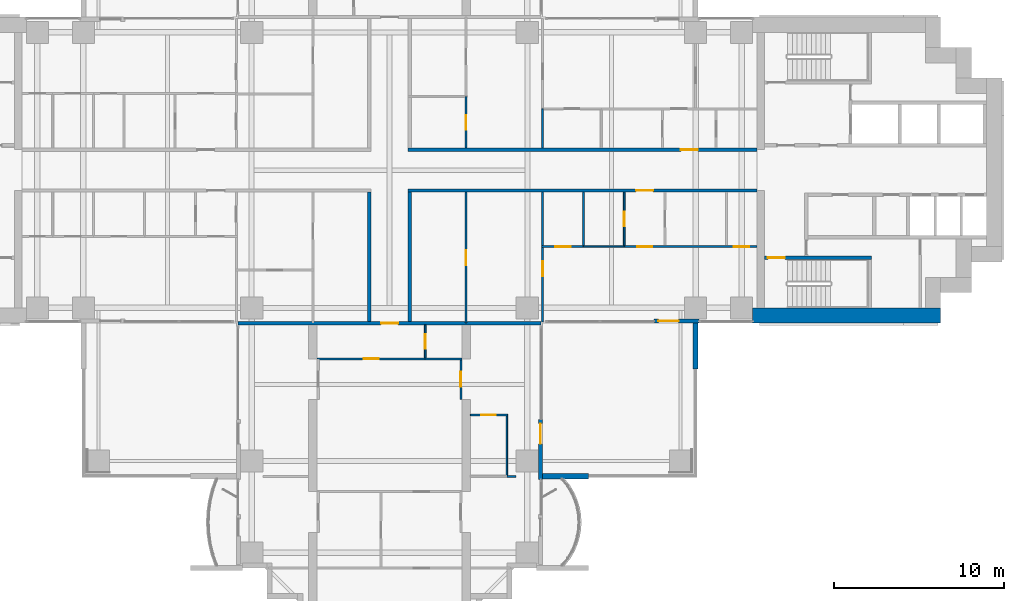
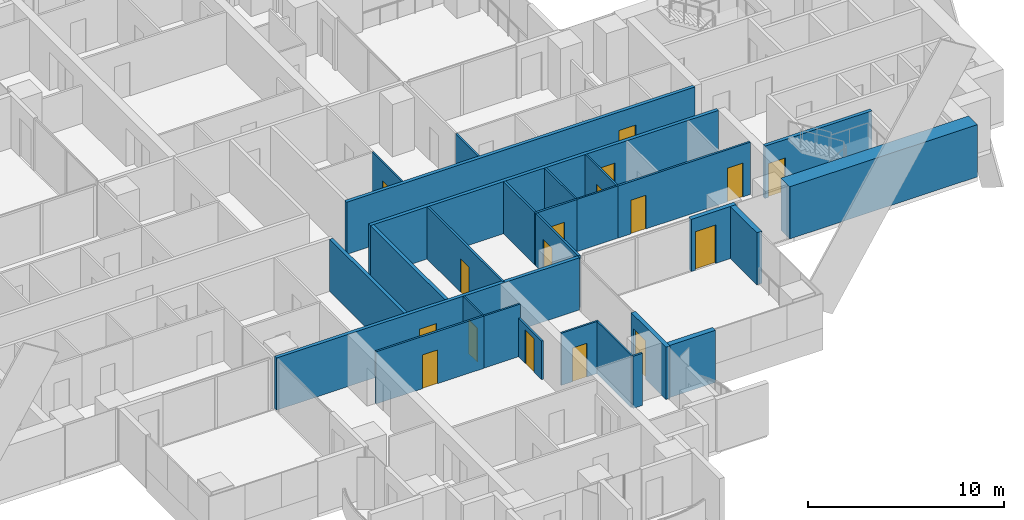
# One storey, part 13 of 21: 27 walls, 17 doors, 17 openings.
"""IFC4 building model written with IfcOpenShell, lengths in metres."""

from ifc_helpers import new_model, si_unit, direction, frame, frame_2d, origin, place, context, subcontext, project, spatial, rectangle, extrude, material, layer, layer_set, type_object, element, fill, save


model = new_model("IFC4")

# Units and contexts
model_context = context("Model", 3, precision=1e-05, world=origin(), true_north=direction((0.0, 1.0)))
body_context = subcontext(model_context, "Body", "Model", "MODEL_VIEW")
ifc_project = project(units=[si_unit("LENGTHUNIT", "METRE"), si_unit("AREAUNIT", "SQUARE_METRE"), si_unit("VOLUMEUNIT", "CUBIC_METRE"), si_unit("PLANEANGLEUNIT", "RADIAN"), si_unit("MASSUNIT", "GRAM", prefix="KILO")], contexts=[model_context])

# Site, building, storey
site_placement = place(None, origin())
site = spatial("IfcSite", under=ifc_project, at=site_placement, CompositionType="ELEMENT")
building_placement = place(site_placement, origin())
building = spatial("IfcBuilding", under=site, at=building_placement, Name="Perihelion Cross Residences", CompositionType="ELEMENT")
storey_placement = place(building_placement, frame((0.0, 0.0, 75.0)))
storey = spatial("IfcBuildingStorey", under=building, at=storey_placement, Name="L16", CompositionType="ELEMENT", Elevation=75.0)

# Wall, opening, door
ifc_material_1 = material(Name="Plasterboard partition")
ifc_layer_1 = layer(ifc_material_1, 0.199951171875)
ifc_layer_set_1 = layer_set([ifc_layer_1], Name="Apartment separation wall 200")
wall_type_1 = type_object("IfcWallType", Name="Apartment separation wall 200", PredefinedType="PARTITIONING", material=ifc_layer_set_1)
wall_1_placement = place(storey_placement, frame((1.10009765625, 1.199951171875, 0.0), z_axis=(0.0, 0.0, 1.0), x_axis=(1.0, 0.0, 0.0)))
wall_1 = element("IfcWall", 1, at=wall_1_placement, inside=storey, type_object=wall_type_1, Name="Partition L16 W001", PredefinedType="PARTITIONING", context=body_context, shape_type="SweptSolid", body=[
    extrude(rectangle(XDim=20.5, YDim=0.199951171875, at=frame_2d((10.25, 0.0))), origin(), (0.0, 0.0, 1.0), 3.25),
])
opening_1_placement = place(wall_1_placement, frame((16.02490234375, 0.0, 0.0)))
opening_1 = element("IfcOpeningElement", 2, at=opening_1_placement, cuts=wall_1, Name="Opening L16.A46", PredefinedType="OPENING", context=body_context, shape_type="SweptSolid", body=[
    extrude(rectangle(XDim=1.0, YDim=2.10009765625, at=frame_2d((0.5, 1.050048828125))), frame((0.0, 0.10986328125, 0.0), z_axis=(0.0, -1.0, 0.0), x_axis=(1.0, 0.0, 0.0)), (0.0, 0.0, 1.0), 0.219970703125),
])
ifc_material_2 = material(Name="Timber door leaf", Category="wood")
door_type_1 = type_object("IfcDoorType", Name="Flat entrance door 1000 x 2100", OperationType="SINGLE_SWING_LEFT", PredefinedType="DOOR", material=ifc_material_2)
door_1_placement = place(opening_1_placement, origin())
door_1 = element("IfcDoor", 3, at=door_1_placement, inside=storey, type_object=door_type_1, Name="Door L16.A46", OperationType="SINGLE_SWING_RIGHT", OverallHeight=2.10009765625, OverallWidth=1.0, PredefinedType="DOOR", context=body_context, shape_type="SweptSolid", body=[
    extrude(rectangle(XDim=1.0, YDim=2.10009765625, at=frame_2d((0.5, 1.050048828125))), frame((0.0, 0.02490234375, 0.0), z_axis=(0.0, -1.0, 0.0), x_axis=(1.0, 0.0, 0.0)), (0.0, 0.0, 1.0), 0.050048828125),
])
fill(opening_1, door_1)

wall_2_placement = place(storey_placement, frame((21.60009765625, -1.199951171875, 0.0), z_axis=(0.0, 0.0, 1.0), x_axis=(-1.0, 0.0, 0.0)))
wall_2 = element("IfcWall", 4, at=wall_2_placement, inside=storey, type_object=wall_type_1, Name="Partition L16 W003", PredefinedType="PARTITIONING", context=body_context, shape_type="SweptSolid", body=[
    extrude(rectangle(XDim=20.5, YDim=0.199951171875, at=frame_2d((10.25, 0.0))), origin(), (0.0, 0.0, 1.0), 3.25),
])
opening_2_placement = place(wall_2_placement, frame((6.10009765625, 0.0, 0.0)))
opening_2 = element("IfcOpeningElement", 5, at=opening_2_placement, cuts=wall_2, Name="Opening L16.A47", PredefinedType="OPENING", context=body_context, shape_type="SweptSolid", body=[
    extrude(rectangle(XDim=1.0, YDim=2.10009765625, at=frame_2d((0.5, 1.050048828125))), frame((0.0, 0.10986328125, 0.0), z_axis=(0.0, -1.0, 0.0), x_axis=(1.0, 0.0, 0.0)), (0.0, 0.0, 1.0), 0.219970703125),
])
door_2_placement = place(opening_2_placement, origin())
door_2 = element("IfcDoor", 6, at=door_2_placement, inside=storey, type_object=door_type_1, Name="Door L16.A47", OperationType="SINGLE_SWING_LEFT", OverallHeight=2.10009765625, OverallWidth=1.0, PredefinedType="DOOR", context=body_context, shape_type="SweptSolid", body=[
    extrude(rectangle(XDim=1.0, YDim=2.10009765625, at=frame_2d((0.5, 1.050048828125))), frame((0.0, 0.02490234375, 0.0), z_axis=(0.0, -1.0, 0.0), x_axis=(1.0, 0.0, 0.0)), (0.0, 0.0, 1.0), 0.050048828125),
])
fill(opening_2, door_2)

# Walls
for number, where, z_axis, x_axis, name in (
    (7, (1.199951171875, -1.300048828125, 0.0), (0.0, 0.0, 1.0), (0.0, -1.0, 0.0), "Partition L16 W004"),
    (8, (-1.199951171875, -8.89990234375, 0.0), (0.0, 0.0, 1.0), (0.0, 1.0, 0.0), "Partition L16 W008"),
):
    element("IfcWall", number, at=place(storey_placement, frame(where, z_axis=z_axis, x_axis=x_axis)), inside=storey, type_object=wall_type_1, Name=name, PredefinedType="PARTITIONING", context=body_context, shape_type="SweptSolid", body=[
        extrude(rectangle(XDim=7.599853515625, YDim=0.199951171875, at=frame_2d((3.7998046875, 0.0))), origin(), (0.0, 0.0, 1.0), 3.25),
    ])

# Wall, opening, door
wall_3_placement = place(storey_placement, frame((8.919921875, -9.0, 0.0), z_axis=(0.0, 0.0, 1.0), x_axis=(-1.0, 0.0, 0.0)))
wall_3 = element("IfcWall", 9, at=wall_3_placement, inside=storey, type_object=wall_type_1, Name="Partition L16 W010", PredefinedType="PARTITIONING", context=body_context, shape_type="SweptSolid", body=[
    extrude(rectangle(XDim=17.83984375, YDim=0.199951171875, at=frame_2d((8.919921875, 0.0))), origin(), (0.0, 0.0, 1.0), 3.25),
])
opening_3_placement = place(wall_3_placement, frame((8.419921875, 0.0, 0.0)))
opening_3 = element("IfcOpeningElement", 10, at=opening_3_placement, cuts=wall_3, Name="Opening L16.A39", PredefinedType="OPENING", context=body_context, shape_type="SweptSolid", body=[
    extrude(rectangle(XDim=1.0, YDim=2.10009765625, at=frame_2d((0.5, 1.050048828125))), frame((0.0, 0.10986328125, 0.0), z_axis=(0.0, -1.0, 0.0), x_axis=(1.0, 0.0, 0.0)), (0.0, 0.0, 1.0), 0.219970703125),
])
door_3_placement = place(opening_3_placement, origin())
door_3 = element("IfcDoor", 11, at=door_3_placement, inside=storey, type_object=door_type_1, Name="Door L16.A39", OperationType="SINGLE_SWING_LEFT", OverallHeight=2.10009765625, OverallWidth=1.0, PredefinedType="DOOR", context=body_context, shape_type="SweptSolid", body=[
    extrude(rectangle(XDim=1.0, YDim=2.10009765625, at=frame_2d((0.5, 1.050048828125))), frame((0.0, 0.02490234375, 0.0), z_axis=(0.0, -1.0, 0.0), x_axis=(1.0, 0.0, 0.0)), (0.0, 0.0, 1.0), 0.050048828125),
])
fill(opening_3, door_3)

ifc_material_3 = material(Name="Concrete C30/37, bronze-clad", Category="concrete")
ifc_layer_2 = layer(ifc_material_3, 0.25)
ifc_layer_set_2 = layer_set([ifc_layer_2], Name="Bronze-clad pier wall 250")
wall_type_2 = type_object("IfcWallType", Name="Bronze-clad pier wall 250", PredefinedType="SOLIDWALL", material=ifc_layer_set_2)
wall_4_placement = place(storey_placement, frame((8.875, -18.199951171875, 0.0), z_axis=(0.0, 0.0, 1.0), x_axis=(0.0, 1.0, 0.0)))
wall_4 = element("IfcWall", 12, at=wall_4_placement, inside=storey, type_object=wall_type_2, Name="Wall FW1 L16 south side east bay 2 pier", PredefinedType="SOLIDWALL", context=body_context, shape_type="SweptSolid", body=[
    extrude(rectangle(XDim=3.550048828125, YDim=0.25, at=frame_2d((1.77490234375, 0.0))), origin(), (0.0, 0.0, 1.0), 3.25),
])
opening_4_placement = place(wall_4_placement, frame((2.10009765625, 0.0, 0.0)))
opening_4 = element("IfcOpeningElement", 13, at=opening_4_placement, cuts=wall_4, Name="Opening L16.E15", PredefinedType="OPENING", context=body_context, shape_type="SweptSolid", body=[
    extrude(rectangle(XDim=1.199951171875, YDim=2.39990234375, at=frame_2d((0.60009765625, 1.199951171875))), frame((0.0, 0.135009765625, 0.0), z_axis=(0.0, -1.0, 0.0), x_axis=(1.0, 0.0, 0.0)), (0.0, 0.0, 1.0), 0.27001953125),
])
ifc_material_4 = material(Name="Bronze anodised aluminium, glazed", Category="aluminium")
door_type_2 = type_object("IfcDoorType", Name="Balcony door 1200 x 2400", OperationType="NOTDEFINED", PredefinedType="DOOR", material=ifc_material_4)
door_4_placement = place(opening_4_placement, origin())
door_4 = element("IfcDoor", 14, at=door_4_placement, inside=storey, type_object=door_type_2, Name="Door L16.E15 south side east bay 2", OperationType="SINGLE_SWING_RIGHT", OverallHeight=2.39990234375, OverallWidth=1.199951171875, PredefinedType="DOOR", context=body_context, shape_type="SweptSolid", body=[
    extrude(rectangle(XDim=1.199951171875, YDim=2.39990234375, at=frame_2d((0.60009765625, 1.199951171875))), frame((0.0, 0.02490234375, 0.0), z_axis=(0.0, -1.0, 0.0), x_axis=(1.0, 0.0, 0.0)), (0.0, 0.0, 1.0), 0.050048828125),
])
fill(opening_4, door_4)

wall_5_placement = place(storey_placement, frame((15.550048828125, -8.875, 0.0), z_axis=(0.0, 0.0, 1.0), x_axis=(1.0, 0.0, 0.0)))
wall_5 = element("IfcWall", 15, at=wall_5_placement, inside=storey, type_object=wall_type_2, Name="Wall FW1 L16 east side south bay 1 pier", PredefinedType="SOLIDWALL", context=body_context, shape_type="SweptSolid", body=[
    extrude(rectangle(XDim=2.64990234375, YDim=0.25, at=frame_2d((1.324951171875, 0.0))), origin(), (0.0, 0.0, 1.0), 3.25),
])
opening_5_placement = place(wall_5_placement, frame((0.25, 0.0, 0.0)))
opening_5 = element("IfcOpeningElement", 16, at=opening_5_placement, cuts=wall_5, Name="Opening L16.E16", PredefinedType="OPENING", context=body_context, shape_type="SweptSolid", body=[
    extrude(rectangle(XDim=1.199951171875, YDim=2.39990234375, at=frame_2d((0.60009765625, 1.199951171875))), frame((0.0, 0.135009765625, 0.0), z_axis=(0.0, -1.0, 0.0), x_axis=(1.0, 0.0, 0.0)), (0.0, 0.0, 1.0), 0.27001953125),
])
door_5_placement = place(opening_5_placement, origin())
door_5 = element("IfcDoor", 17, at=door_5_placement, inside=storey, type_object=door_type_2, Name="Door L16.E16 east side south bay 1", OperationType="SINGLE_SWING_LEFT", OverallHeight=2.39990234375, OverallWidth=1.199951171875, PredefinedType="DOOR", context=body_context, shape_type="SweptSolid", body=[
    extrude(rectangle(XDim=1.199951171875, YDim=2.39990234375, at=frame_2d((0.60009765625, 1.199951171875))), frame((0.0, 0.02490234375, 0.0), z_axis=(0.0, -1.0, 0.0), x_axis=(1.0, 0.0, 0.0)), (0.0, 0.0, 1.0), 0.050048828125),
])
fill(opening_5, door_5)

# Wall
ifc_material_5 = material(Name="Concrete C60/75", Category="concrete")
ifc_layer_3 = layer(ifc_material_5, 0.89990234375)
ifc_layer_set_3 = layer_set([ifc_layer_3], Name="Core wall, outer 900")
wall_type_3 = type_object("IfcWallType", Name="Core wall, outer 900", PredefinedType="SHEAR", material=ifc_layer_set_3)
wall_6_placement = place(storey_placement, frame((21.35009765625, -8.550048828125, 0.0), z_axis=(0.0, 0.0, 1.0), x_axis=(1.0, 0.0, 0.0)))
element("IfcWall", 18, at=wall_6_placement, inside=storey, type_object=wall_type_3, Name="East core core wall, outer", PredefinedType="SHEAR", context=body_context, shape_type="SweptSolid", body=[
    extrude(rectangle(XDim=11.0498046875, YDim=0.89990234375, at=frame_2d((5.52490234375, 0.0))), origin(), (0.0, 0.0, 1.0), 3.25),
])

# Wall, opening, door
ifc_material_6 = material(Name="Plasterboard partition")
ifc_layer_4 = layer(ifc_material_6, 0.1201171875)
ifc_layer_set_4 = layer_set([ifc_layer_4], Name="Infill panel 120")
wall_type_4 = type_object("IfcWallType", Name="Infill panel 120", PredefinedType="PARTITIONING", material=ifc_layer_set_4)
wall_7_placement = place(storey_placement, frame((4.18994140625, -11.10009765625, 0.0), z_axis=(0.0, 0.0, 1.0), x_axis=(0.0, -1.0, 0.0)))
wall_7 = element("IfcWall", 19, at=wall_7_placement, inside=storey, type_object=wall_type_4, Name="Partition L16 WI05", PredefinedType="PARTITIONING", context=body_context, shape_type="SweptSolid", body=[
    extrude(rectangle(XDim=2.39990234375, YDim=0.1201171875, at=frame_2d((1.199951171875, 0.0))), origin(), (0.0, 0.0, 1.0), 2.39990234375),
])
opening_6_placement = place(wall_7_placement, frame((0.75, 0.0, 0.0)))
opening_6 = element("IfcOpeningElement", 20, at=opening_6_placement, cuts=wall_7, Name="Opening L16.A54", PredefinedType="OPENING", context=body_context, shape_type="SweptSolid", body=[
    extrude(rectangle(XDim=0.89990234375, YDim=2.10009765625, at=frame_2d((0.449951171875, 1.050048828125))), frame((0.0, 0.070068359375, 0.0), z_axis=(0.0, -1.0, 0.0), x_axis=(1.0, 0.0, 0.0)), (0.0, 0.0, 1.0), 0.14013671875),
])
ifc_material_7 = material(Name="Timber door leaf", Category="wood")
door_type_3 = type_object("IfcDoorType", Name="Interior room door 900 x 2100", OperationType="SINGLE_SWING_LEFT", PredefinedType="DOOR", material=ifc_material_7)
door_6_placement = place(opening_6_placement, origin())
door_6 = element("IfcDoor", 21, at=door_6_placement, inside=storey, type_object=door_type_3, Name="Door L16.A54", OperationType="SINGLE_SWING_LEFT", OverallHeight=2.10009765625, OverallWidth=0.89990234375, PredefinedType="DOOR", context=body_context, shape_type="SweptSolid", body=[
    extrude(rectangle(XDim=0.89990234375, YDim=2.10009765625, at=frame_2d((0.449951171875, 1.050048828125))), frame((0.0, 0.02490234375, 0.0), z_axis=(0.0, -1.0, 0.0), x_axis=(1.0, 0.0, 0.0)), (0.0, 0.0, 1.0), 0.050048828125),
])
fill(opening_6, door_6)

ifc_material_8 = material(Name="Plasterboard partition")
ifc_layer_5 = layer(ifc_material_8, 0.1201171875)
ifc_layer_set_5 = layer_set([ifc_layer_5], Name="Partition wall 120")
wall_type_5 = type_object("IfcWallType", Name="Partition wall 120", PredefinedType="PARTITIONING", material=ifc_layer_set_5)
wall_8_placement = place(storey_placement, frame((11.39990234375, -4.5, 0.0), z_axis=(0.0, 0.0, 1.0), x_axis=(-1.0, 0.0, 0.0)))
wall_8 = element("IfcWall", 22, at=wall_8_placement, inside=storey, type_object=wall_type_5, Name="Partition L16 W023", PredefinedType="PARTITIONING", context=body_context, shape_type="SweptSolid", body=[
    extrude(rectangle(XDim=2.4599609375, YDim=0.1201171875, at=frame_2d((1.22998046875, 0.0))), origin(), (0.0, 0.0, 1.0), 3.25),
])
opening_7_placement = place(wall_8_placement, frame((0.75, 0.0, 0.0)))
opening_7 = element("IfcOpeningElement", 23, at=opening_7_placement, cuts=wall_8, Name="Opening L16.A15", PredefinedType="OPENING", context=body_context, shape_type="SweptSolid", body=[
    extrude(rectangle(XDim=0.89990234375, YDim=2.10009765625, at=frame_2d((0.449951171875, 1.050048828125))), frame((0.0, 0.070068359375, 0.0), z_axis=(0.0, -1.0, 0.0), x_axis=(1.0, 0.0, 0.0)), (0.0, 0.0, 1.0), 0.14013671875),
])
door_7_placement = place(opening_7_placement, origin())
door_7 = element("IfcDoor", 24, at=door_7_placement, inside=storey, type_object=door_type_3, Name="Door L16.A15", OperationType="SINGLE_SWING_RIGHT", OverallHeight=2.10009765625, OverallWidth=0.89990234375, PredefinedType="DOOR", context=body_context, shape_type="SweptSolid", body=[
    extrude(rectangle(XDim=0.89990234375, YDim=2.10009765625, at=frame_2d((0.449951171875, 1.050048828125))), frame((0.0, 0.02490234375, 0.0), z_axis=(0.0, -1.0, 0.0), x_axis=(1.0, 0.0, 0.0)), (0.0, 0.0, 1.0), 0.050048828125),
])
fill(opening_7, door_7)

wall_9_placement = place(storey_placement, frame((9.0, -8.919921875, 0.0), z_axis=(0.0, 0.0, 1.0), x_axis=(0.0, 1.0, 0.0)))
wall_9 = element("IfcWall", 25, at=wall_9_placement, inside=storey, type_object=wall_type_5, Name="Partition L16 W024", PredefinedType="PARTITIONING", context=body_context, shape_type="SweptSolid", body=[
    extrude(rectangle(XDim=7.619873046875, YDim=0.1201171875, at=frame_2d((3.81005859375, 0.0))), origin(), (0.0, 0.0, 1.0), 3.25),
])
opening_8_placement = place(wall_9_placement, frame((2.669921875, 0.0, 0.0)))
opening_8 = element("IfcOpeningElement", 26, at=opening_8_placement, cuts=wall_9, Name="Opening L16.A14", PredefinedType="OPENING", context=body_context, shape_type="SweptSolid", body=[
    extrude(rectangle(XDim=0.89990234375, YDim=2.10009765625, at=frame_2d((0.449951171875, 1.050048828125))), frame((0.0, 0.070068359375, 0.0), z_axis=(0.0, -1.0, 0.0), x_axis=(1.0, 0.0, 0.0)), (0.0, 0.0, 1.0), 0.14013671875),
])
door_8_placement = place(opening_8_placement, origin())
door_8 = element("IfcDoor", 27, at=door_8_placement, inside=storey, type_object=door_type_3, Name="Door L16.A14", OperationType="SINGLE_SWING_RIGHT", OverallHeight=2.10009765625, OverallWidth=0.89990234375, PredefinedType="DOOR", context=body_context, shape_type="SweptSolid", body=[
    extrude(rectangle(XDim=0.89990234375, YDim=2.10009765625, at=frame_2d((0.449951171875, 1.050048828125))), frame((0.0, 0.02490234375, 0.0), z_axis=(0.0, -1.0, 0.0), x_axis=(1.0, 0.0, 0.0)), (0.0, 0.0, 1.0), 0.050048828125),
])
fill(opening_8, door_8)

# Wall, openings, doors
wall_10_placement = place(storey_placement, frame((21.60009765625, -4.5, 0.0), z_axis=(0.0, 0.0, 1.0), x_axis=(-1.0, 0.0, 0.0)))
wall_10 = element("IfcWall", 28, at=wall_10_placement, inside=storey, type_object=wall_type_5, Name="Partition L16 W028", PredefinedType="PARTITIONING", context=body_context, shape_type="SweptSolid", body=[
    extrude(rectangle(XDim=7.800048828125, YDim=0.1201171875, at=frame_2d((3.89990234375, 0.0))), origin(), (0.0, 0.0, 1.0), 3.25),
])
opening_9_placement = place(wall_10_placement, frame((0.449951171875, 0.0, 0.0)))
opening_9 = element("IfcOpeningElement", 29, at=opening_9_placement, cuts=wall_10, Name="Opening L16.A12", PredefinedType="OPENING", context=body_context, shape_type="SweptSolid", body=[
    extrude(rectangle(XDim=0.89990234375, YDim=2.10009765625, at=frame_2d((0.449951171875, 1.050048828125))), frame((0.0, 0.070068359375, 0.0), z_axis=(0.0, -1.0, 0.0), x_axis=(1.0, 0.0, 0.0)), (0.0, 0.0, 1.0), 0.14013671875),
])
opening_10_placement = place(wall_10_placement, frame((6.14990234375, 0.0, 0.0)))
opening_10 = element("IfcOpeningElement", 30, at=opening_10_placement, cuts=wall_10, Name="Opening L16.A13", PredefinedType="OPENING", context=body_context, shape_type="SweptSolid", body=[
    extrude(rectangle(XDim=0.89990234375, YDim=2.10009765625, at=frame_2d((0.449951171875, 1.050048828125))), frame((0.0, 0.070068359375, 0.0), z_axis=(0.0, -1.0, 0.0), x_axis=(1.0, 0.0, 0.0)), (0.0, 0.0, 1.0), 0.14013671875),
])
door_9_placement = place(opening_9_placement, origin())
door_9 = element("IfcDoor", 31, at=door_9_placement, inside=storey, type_object=door_type_3, Name="Door L16.A12", OperationType="SINGLE_SWING_RIGHT", OverallHeight=2.10009765625, OverallWidth=0.89990234375, PredefinedType="DOOR", context=body_context, shape_type="SweptSolid", body=[
    extrude(rectangle(XDim=0.89990234375, YDim=2.10009765625, at=frame_2d((0.449951171875, 1.050048828125))), frame((0.0, 0.02490234375, 0.0), z_axis=(0.0, -1.0, 0.0), x_axis=(1.0, 0.0, 0.0)), (0.0, 0.0, 1.0), 0.050048828125),
])
fill(opening_9, door_9)
door_10_placement = place(opening_10_placement, origin())
door_10 = element("IfcDoor", 32, at=door_10_placement, inside=storey, type_object=door_type_3, Name="Door L16.A13", OperationType="SINGLE_SWING_LEFT", OverallHeight=2.10009765625, OverallWidth=0.89990234375, PredefinedType="DOOR", context=body_context, shape_type="SweptSolid", body=[
    extrude(rectangle(XDim=0.89990234375, YDim=2.10009765625, at=frame_2d((0.449951171875, 1.050048828125))), frame((0.0, 0.02490234375, 0.0), z_axis=(0.0, -1.0, 0.0), x_axis=(1.0, 0.0, 0.0)), (0.0, 0.0, 1.0), 0.050048828125),
])
fill(opening_10, door_10)

# Wall, opening, door
wall_11_placement = place(storey_placement, frame((4.5, -9.0, 0.0), z_axis=(0.0, 0.0, 1.0), x_axis=(0.0, 1.0, 0.0)))
wall_11 = element("IfcWall", 33, at=wall_11_placement, inside=storey, type_object=wall_type_5, Name="Partition L16 W030", PredefinedType="PARTITIONING", context=body_context, shape_type="SweptSolid", body=[
    extrude(rectangle(XDim=7.699951171875, YDim=0.1201171875, at=frame_2d((3.85009765625, 0.0))), origin(), (0.0, 0.0, 1.0), 3.25),
])
opening_11_placement = place(wall_11_placement, frame((3.39990234375, 0.0, 0.0)))
opening_11 = element("IfcOpeningElement", 34, at=opening_11_placement, cuts=wall_11, Name="Opening L16.A10", PredefinedType="OPENING", context=body_context, shape_type="SweptSolid", body=[
    extrude(rectangle(XDim=0.89990234375, YDim=2.10009765625, at=frame_2d((0.449951171875, 1.050048828125))), frame((0.0, 0.070068359375, 0.0), z_axis=(0.0, -1.0, 0.0), x_axis=(1.0, 0.0, 0.0)), (0.0, 0.0, 1.0), 0.14013671875),
])
door_11_placement = place(opening_11_placement, origin())
door_11 = element("IfcDoor", 35, at=door_11_placement, inside=storey, type_object=door_type_3, Name="Door L16.A10", OperationType="SINGLE_SWING_LEFT", OverallHeight=2.10009765625, OverallWidth=0.89990234375, PredefinedType="DOOR", context=body_context, shape_type="SweptSolid", body=[
    extrude(rectangle(XDim=0.89990234375, YDim=2.10009765625, at=frame_2d((0.449951171875, 1.050048828125))), frame((0.0, 0.02490234375, 0.0), z_axis=(0.0, -1.0, 0.0), x_axis=(1.0, 0.0, 0.0)), (0.0, 0.0, 1.0), 0.050048828125),
])
fill(opening_11, door_11)

wall_12_placement = place(storey_placement, frame((2.10009765625, -11.10009765625, 0.0), z_axis=(0.0, 0.0, 1.0), x_axis=(-1.0, 0.0, 0.0)))
wall_12 = element("IfcWall", 36, at=wall_12_placement, inside=storey, type_object=wall_type_5, Name="Partition L16 W067", PredefinedType="PARTITIONING", context=body_context, shape_type="SweptSolid", body=[
    extrude(rectangle(XDim=6.35009765625, YDim=0.1201171875, at=frame_2d((3.175048828125, 0.0))), origin(), (0.0, 0.0, 1.0), 3.25),
])
opening_12_placement = place(wall_12_placement, frame((2.72509765625, 0.0, 0.0)))
opening_12 = element("IfcOpeningElement", 37, at=opening_12_placement, cuts=wall_12, Name="Opening L16.A41", PredefinedType="OPENING", context=body_context, shape_type="SweptSolid", body=[
    extrude(rectangle(XDim=0.89990234375, YDim=2.10009765625, at=frame_2d((0.449951171875, 1.050048828125))), frame((0.0, 0.070068359375, 0.0), z_axis=(0.0, -1.0, 0.0), x_axis=(1.0, 0.0, 0.0)), (0.0, 0.0, 1.0), 0.14013671875),
])
door_12_placement = place(opening_12_placement, origin())
door_12 = element("IfcDoor", 38, at=door_12_placement, inside=storey, type_object=door_type_3, Name="Door L16.A41", OperationType="SINGLE_SWING_LEFT", OverallHeight=2.10009765625, OverallWidth=0.89990234375, PredefinedType="DOOR", context=body_context, shape_type="SweptSolid", body=[
    extrude(rectangle(XDim=0.89990234375, YDim=2.10009765625, at=frame_2d((0.449951171875, 1.050048828125))), frame((0.0, 0.02490234375, 0.0), z_axis=(0.0, -1.0, 0.0), x_axis=(1.0, 0.0, 0.0)), (0.0, 0.0, 1.0), 0.050048828125),
])
fill(opening_12, door_12)

# Walls
wall_13_placement = place(storey_placement, frame((7.449951171875, -18.0, 0.0), z_axis=(0.0, 0.0, 1.0), x_axis=(-1.0, 0.0, 0.0)))
element("IfcWall", 39, at=wall_13_placement, inside=storey, type_object=wall_type_5, Name="Partition L16 W074", PredefinedType="PARTITIONING", context=body_context, shape_type="SweptSolid", body=[
    extrude(rectangle(XDim=0.550048828125, YDim=0.1201171875, at=frame_2d((0.27490234375, 0.0))), origin(), (0.0, 0.0, 1.0), 3.25),
])
ifc_material_9 = material(Name="Precast concrete C50/60", Category="concrete")
ifc_layer_6 = layer(ifc_material_9, 0.300048828125)
ifc_layer_set_6 = layer_set([ifc_layer_6], Name="Precast concrete C50/60 blade wall 300")
wall_type_6 = type_object("IfcWallType", Name="Precast concrete C50/60 blade wall 300", PredefinedType="SOLIDWALL", material=ifc_layer_set_6)
wall_14_placement = place(storey_placement, frame((9.0, -18.0, 0.0), z_axis=(0.0, 0.0, 1.0), x_axis=(1.0, 0.0, 0.0)))
element("IfcWall", 40, at=wall_14_placement, inside=storey, type_object=wall_type_6, Name="Wall BL1 L16 no. 15", PredefinedType="SOLIDWALL", context=body_context, shape_type="SweptSolid", body=[
    extrude(rectangle(XDim=2.699951171875, YDim=0.300048828125, at=frame_2d((1.35009765625, 0.0))), origin(), (0.0, 0.0, 1.0), 3.25),
])
wall_15_placement = place(storey_placement, frame((18.0, -8.75, 0.0), z_axis=(0.0, 0.0, 1.0), x_axis=(0.0, -1.0, 0.0)))
element("IfcWall", 41, at=wall_15_placement, inside=storey, type_object=wall_type_6, Name="Wall BL1 L16 no. 11", PredefinedType="SOLIDWALL", context=body_context, shape_type="SweptSolid", body=[
    extrude(rectangle(XDim=2.949951171875, YDim=0.300048828125, at=frame_2d((1.47509765625, 0.0))), origin(), (0.0, 0.0, 1.0), 3.25),
])

# Wall, opening, door
ifc_material_10 = material(Name="Concrete C50/60", Category="concrete")
ifc_layer_7 = layer(ifc_material_10, 0.199951171875)
ifc_layer_set_7 = layer_set([ifc_layer_7], Name="Stair wall 200")
wall_type_7 = type_object("IfcWallType", Name="Stair wall 200", PredefinedType="SOLIDWALL", material=ifc_layer_set_7)
wall_16_placement = place(storey_placement, frame((22.050048828125, -5.14990234375, 0.0), z_axis=(0.0, 0.0, 1.0), x_axis=(1.0, 0.0, 0.0)))
wall_16 = element("IfcWall", 42, at=wall_16_placement, inside=storey, type_object=wall_type_7, Name="East core stair wall", PredefinedType="SOLIDWALL", context=body_context, shape_type="SweptSolid", body=[
    extrude(rectangle(XDim=6.300048828125, YDim=0.199951171875, at=frame_2d((3.14990234375, 0.0))), origin(), (0.0, 0.0, 1.0), 3.25),
])
opening_13_placement = place(wall_16_placement, frame((0.199951171875, 0.0, 0.0)))
opening_13 = element("IfcOpeningElement", 43, at=opening_13_placement, cuts=wall_16, Name="Opening L16.C05", PredefinedType="OPENING", context=body_context, shape_type="SweptSolid", body=[
    extrude(rectangle(XDim=1.0, YDim=2.10009765625, at=frame_2d((0.5, 1.050048828125))), frame((0.0, 0.10986328125, 0.0), z_axis=(0.0, -1.0, 0.0), x_axis=(1.0, 0.0, 0.0)), (0.0, 0.0, 1.0), 0.219970703125),
])
ifc_material_11 = material(Name="Steel, powder coated", Category="steel")
door_type_4 = type_object("IfcDoorType", Name="Stair door 1000", OperationType="SINGLE_SWING_LEFT", PredefinedType="DOOR", material=ifc_material_11)
door_13_placement = place(opening_13_placement, origin())
door_13 = element("IfcDoor", 44, at=door_13_placement, inside=storey, type_object=door_type_4, Name="East core stair door", OperationType="SINGLE_SWING_LEFT", OverallHeight=2.10009765625, OverallWidth=1.0, PredefinedType="DOOR", context=body_context, shape_type="SweptSolid", body=[
    extrude(rectangle(XDim=1.0, YDim=2.10009765625, at=frame_2d((0.5, 1.050048828125))), frame((0.0, 0.02490234375, 0.0), z_axis=(0.0, -1.0, 0.0), x_axis=(1.0, 0.0, 0.0)), (0.0, 0.0, 1.0), 0.050048828125),
])
fill(opening_13, door_13)

# Wall
ifc_material_12 = material(Name="Plasterboard partition")
ifc_layer_8 = layer(ifc_material_12, 0.10009765625)
ifc_layer_set_8 = layer_set([ifc_layer_8], Name="Wet room wall 100")
wall_type_8 = type_object("IfcWallType", Name="Wet room wall 100", PredefinedType="PARTITIONING", material=ifc_layer_set_8)
wall_17_placement = place(storey_placement, frame((9.0, 1.300048828125, 0.0), z_axis=(0.0, 0.0, 1.0), x_axis=(0.0, 1.0, 0.0)))
element("IfcWall", 45, at=wall_17_placement, inside=storey, type_object=wall_type_8, Name="Partition L16 W013", PredefinedType="PARTITIONING", context=body_context, shape_type="SweptSolid", body=[
    extrude(rectangle(XDim=2.300048828125, YDim=0.10009765625, at=frame_2d((1.14990234375, 0.0))), origin(), (0.0, 0.0, 1.0), 3.25),
])

# Wall, opening, door
wall_18_placement = place(storey_placement, frame((4.5, 1.300048828125, 0.0), z_axis=(0.0, 0.0, 1.0), x_axis=(0.0, 1.0, 0.0)))
wall_18 = element("IfcWall", 46, at=wall_18_placement, inside=storey, type_object=wall_type_8, Name="Partition L16 W019", PredefinedType="PARTITIONING", context=body_context, shape_type="SweptSolid", body=[
    extrude(rectangle(XDim=3.02001953125, YDim=0.10009765625, at=frame_2d((1.510009765625, 0.0))), origin(), (0.0, 0.0, 1.0), 3.25),
])
opening_14_placement = place(wall_18_placement, frame((1.0849609375, 0.0, 0.0)))
opening_14 = element("IfcOpeningElement", 47, at=opening_14_placement, cuts=wall_18, Name="Opening L16.A07", PredefinedType="OPENING", context=body_context, shape_type="SweptSolid", body=[
    extrude(rectangle(XDim=0.85009765625, YDim=2.10009765625, at=frame_2d((0.425048828125, 1.050048828125))), frame((0.0, 0.06005859375, 0.0), z_axis=(0.0, -1.0, 0.0), x_axis=(1.0, 0.0, 0.0)), (0.0, 0.0, 1.0), 0.1201171875),
])
ifc_material_13 = material(Name="Timber door leaf", Category="wood")
door_type_5 = type_object("IfcDoorType", Name="Interior bathroom door 850 x 2100", OperationType="SINGLE_SWING_LEFT", PredefinedType="DOOR", material=ifc_material_13)
door_14_placement = place(opening_14_placement, origin())
door_14 = element("IfcDoor", 48, at=door_14_placement, inside=storey, type_object=door_type_5, Name="Door L16.A07", OperationType="SINGLE_SWING_RIGHT", OverallHeight=2.10009765625, OverallWidth=0.85009765625, PredefinedType="DOOR", context=body_context, shape_type="SweptSolid", body=[
    extrude(rectangle(XDim=0.85009765625, YDim=2.10009765625, at=frame_2d((0.425048828125, 1.050048828125))), frame((0.0, 0.02490234375, 0.0), z_axis=(0.0, -1.0, 0.0), x_axis=(1.0, 0.0, 0.0)), (0.0, 0.0, 1.0), 0.050048828125),
])
fill(opening_14, door_14)

# Wall
wall_19_placement = place(storey_placement, frame((11.39990234375, -1.300048828125, 0.0), z_axis=(0.0, 0.0, 1.0), x_axis=(0.0, -1.0, 0.0)))
element("IfcWall", 49, at=wall_19_placement, inside=storey, type_object=wall_type_8, Name="Partition L16 W022", PredefinedType="PARTITIONING", context=body_context, shape_type="SweptSolid", body=[
    extrude(rectangle(XDim=3.139892578125, YDim=0.10009765625, at=frame_2d((1.56982421875, 0.0))), origin(), (0.0, 0.0, 1.0), 3.25),
])

# Wall, opening, door
wall_20_placement = place(storey_placement, frame((13.800048828125, -1.300048828125, 0.0), z_axis=(0.0, 0.0, 1.0), x_axis=(0.0, -1.0, 0.0)))
wall_20 = element("IfcWall", 50, at=wall_20_placement, inside=storey, type_object=wall_type_8, Name="Partition L16 W025", PredefinedType="PARTITIONING", context=body_context, shape_type="SweptSolid", body=[
    extrude(rectangle(XDim=3.139892578125, YDim=0.10009765625, at=frame_2d((1.56982421875, 0.0))), origin(), (0.0, 0.0, 1.0), 3.25),
])
opening_15_placement = place(wall_20_placement, frame((1.14501953125, 0.0, 0.0)))
opening_15 = element("IfcOpeningElement", 51, at=opening_15_placement, cuts=wall_20, Name="Opening L16.A09", PredefinedType="OPENING", context=body_context, shape_type="SweptSolid", body=[
    extrude(rectangle(XDim=0.85009765625, YDim=2.10009765625, at=frame_2d((0.425048828125, 1.050048828125))), frame((0.0, 0.06005859375, 0.0), z_axis=(0.0, -1.0, 0.0), x_axis=(1.0, 0.0, 0.0)), (0.0, 0.0, 1.0), 0.1201171875),
])
door_15_placement = place(opening_15_placement, origin())
door_15 = element("IfcDoor", 52, at=door_15_placement, inside=storey, type_object=door_type_5, Name="Door L16.A09", OperationType="SINGLE_SWING_RIGHT", OverallHeight=2.10009765625, OverallWidth=0.85009765625, PredefinedType="DOOR", context=body_context, shape_type="SweptSolid", body=[
    extrude(rectangle(XDim=0.85009765625, YDim=2.10009765625, at=frame_2d((0.425048828125, 1.050048828125))), frame((0.0, 0.02490234375, 0.0), z_axis=(0.0, -1.0, 0.0), x_axis=(1.0, 0.0, 0.0)), (0.0, 0.0, 1.0), 0.050048828125),
])
fill(opening_15, door_15)

# Wall
wall_21_placement = place(storey_placement, frame((13.800048828125, -4.5, 0.0), z_axis=(0.0, 0.0, 1.0), x_axis=(-1.0, 0.0, 0.0)))
element("IfcWall", 53, at=wall_21_placement, inside=storey, type_object=wall_type_8, Name="Partition L16 W026", PredefinedType="PARTITIONING", context=body_context, shape_type="SweptSolid", body=[
    extrude(rectangle(XDim=2.400146484375, YDim=0.10009765625, at=frame_2d((1.2001953125, 0.0))), origin(), (0.0, 0.0, 1.0), 3.25),
])

# Wall, opening, door
wall_22_placement = place(storey_placement, frame((2.10009765625, -9.10009765625, 0.0), z_axis=(0.0, 0.0, 1.0), x_axis=(0.0, -1.0, 0.0)))
wall_22 = element("IfcWall", 54, at=wall_22_placement, inside=storey, type_object=wall_type_8, Name="Partition L16 W066", PredefinedType="PARTITIONING", context=body_context, shape_type="SweptSolid", body=[
    extrude(rectangle(XDim=1.93994140625, YDim=0.10009765625, at=frame_2d((0.969970703125, 0.0))), origin(), (0.0, 0.0, 1.0), 3.25),
])
opening_16_placement = place(wall_22_placement, frame((0.544921875, 0.0, 0.0)))
opening_16 = element("IfcOpeningElement", 55, at=opening_16_placement, cuts=wall_22, Name="Opening L16.A40", PredefinedType="OPENING", context=body_context, shape_type="SweptSolid", body=[
    extrude(rectangle(XDim=0.85009765625, YDim=2.10009765625, at=frame_2d((0.425048828125, 1.050048828125))), frame((0.0, 0.06005859375, 0.0), z_axis=(0.0, -1.0, 0.0), x_axis=(1.0, 0.0, 0.0)), (0.0, 0.0, 1.0), 0.1201171875),
])
door_16_placement = place(opening_16_placement, origin())
door_16 = element("IfcDoor", 56, at=door_16_placement, inside=storey, type_object=door_type_5, Name="Door L16.A40", OperationType="SINGLE_SWING_RIGHT", OverallHeight=2.10009765625, OverallWidth=0.85009765625, PredefinedType="DOOR", context=body_context, shape_type="SweptSolid", body=[
    extrude(rectangle(XDim=0.85009765625, YDim=2.10009765625, at=frame_2d((0.425048828125, 1.050048828125))), frame((0.0, 0.02490234375, 0.0), z_axis=(0.0, -1.0, 0.0), x_axis=(1.0, 0.0, 0.0)), (0.0, 0.0, 1.0), 0.050048828125),
])
fill(opening_16, door_16)

# Walls
wall_23_placement = place(storey_placement, frame((4.25, -11.10009765625, 0.0), z_axis=(0.0, 0.0, 1.0), x_axis=(-1.0, 0.0, 0.0)))
element("IfcWall", 57, at=wall_23_placement, inside=storey, type_object=wall_type_8, Name="Partition L16 W068", PredefinedType="PARTITIONING", context=body_context, shape_type="SweptSolid", body=[
    extrude(rectangle(XDim=2.14990234375, YDim=0.10009765625, at=frame_2d((1.074951171875, 0.0))), origin(), (0.0, 0.0, 1.0), 3.25),
])
wall_24_placement = place(storey_placement, frame((6.89990234375, -17.93994140625, 0.0), z_axis=(0.0, 0.0, 1.0), x_axis=(0.0, 1.0, 0.0)))
element("IfcWall", 58, at=wall_24_placement, inside=storey, type_object=wall_type_8, Name="Partition L16 W072", PredefinedType="PARTITIONING", context=body_context, shape_type="SweptSolid", body=[
    extrude(rectangle(XDim=3.489990234375, YDim=0.10009765625, at=frame_2d((1.7451171875, 0.0))), origin(), (0.0, 0.0, 1.0), 3.25),
])

# Wall, opening, door
wall_25_placement = place(storey_placement, frame((6.949951171875, -14.39990234375, 0.0), z_axis=(0.0, 0.0, 1.0), x_axis=(-1.0, 0.0, 0.0)))
wall_25 = element("IfcWall", 59, at=wall_25_placement, inside=storey, type_object=wall_type_8, Name="Partition L16 W073", PredefinedType="PARTITIONING", context=body_context, shape_type="SweptSolid", body=[
    extrude(rectangle(XDim=2.199951171875, YDim=0.10009765625, at=frame_2d((1.10009765625, 0.0))), origin(), (0.0, 0.0, 1.0), 3.25),
])
opening_17_placement = place(wall_25_placement, frame((0.699951171875, 0.0, 0.0)))
opening_17 = element("IfcOpeningElement", 60, at=opening_17_placement, cuts=wall_25, Name="Opening L16.A45", PredefinedType="OPENING", context=body_context, shape_type="SweptSolid", body=[
    extrude(rectangle(XDim=0.85009765625, YDim=2.10009765625, at=frame_2d((0.425048828125, 1.050048828125))), frame((0.0, 0.06005859375, 0.0), z_axis=(0.0, -1.0, 0.0), x_axis=(1.0, 0.0, 0.0)), (0.0, 0.0, 1.0), 0.1201171875),
])
door_17_placement = place(opening_17_placement, origin())
door_17 = element("IfcDoor", 61, at=door_17_placement, inside=storey, type_object=door_type_5, Name="Door L16.A45", OperationType="SINGLE_SWING_LEFT", OverallHeight=2.10009765625, OverallWidth=0.85009765625, PredefinedType="DOOR", context=body_context, shape_type="SweptSolid", body=[
    extrude(rectangle(XDim=0.85009765625, YDim=2.10009765625, at=frame_2d((0.425048828125, 1.050048828125))), frame((0.0, 0.02490234375, 0.0), z_axis=(0.0, -1.0, 0.0), x_axis=(1.0, 0.0, 0.0)), (0.0, 0.0, 1.0), 0.050048828125),
])
fill(opening_17, door_17)

save(model, "model.ifc")
